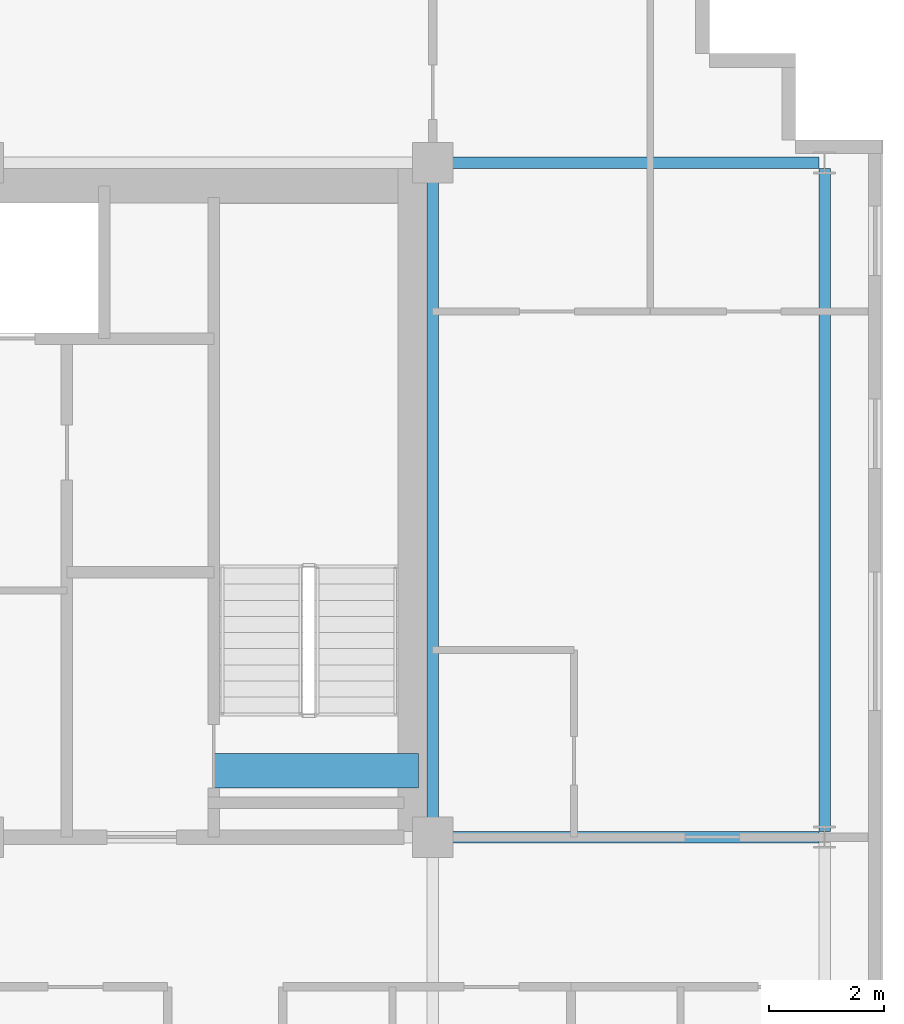
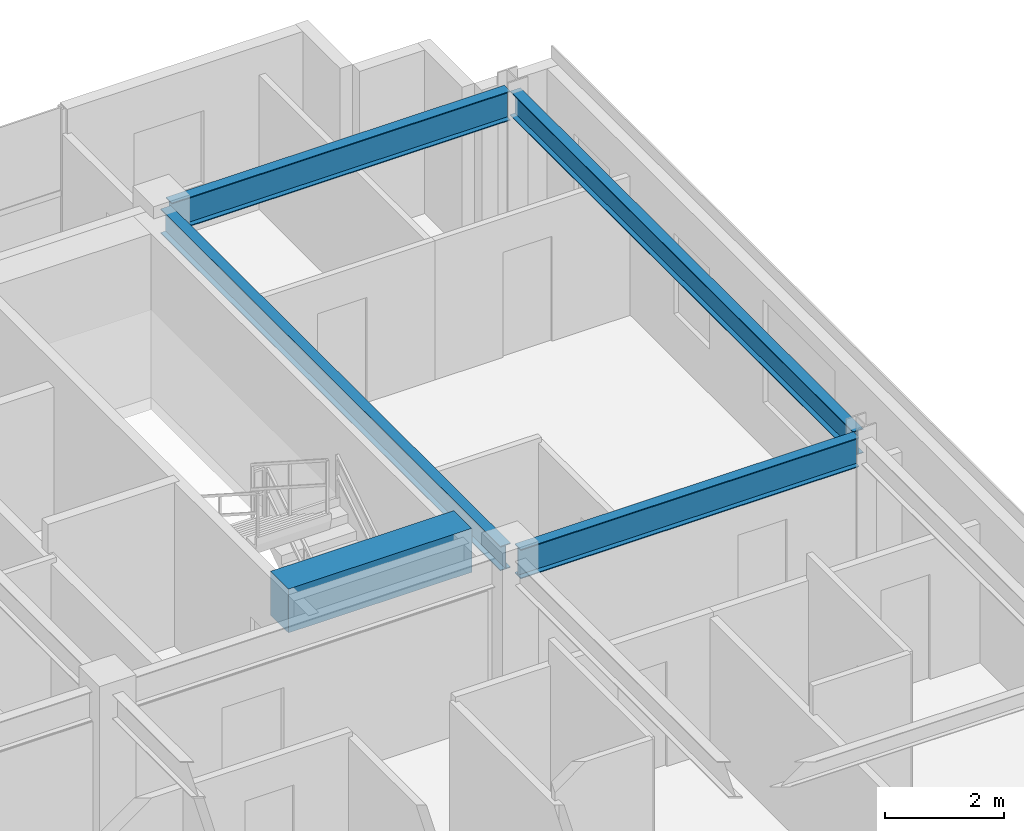
# One storey, part 11 of 21: 5 beams.
"""IFC4 building model written with IfcOpenShell, lengths in metres."""

from ifc_helpers import new_model, si_unit, direction, frame, origin, origin_2d, place, context, subcontext, project, spatial, rectangle, i_section, extrude, source, transform, mapped, material, material_profile, profile_set, type_object, element, save


model = new_model("IFC4")

# Units and contexts
model_context = context("Model", 3, precision=1e-05, world=origin(), true_north=direction((0.0, 1.0)))
body_context = subcontext(model_context, "Body", "Model", "MODEL_VIEW")
ifc_project = project(units=[si_unit("LENGTHUNIT", "METRE"), si_unit("AREAUNIT", "SQUARE_METRE"), si_unit("VOLUMEUNIT", "CUBIC_METRE"), si_unit("PLANEANGLEUNIT", "RADIAN"), si_unit("MASSUNIT", "GRAM", prefix="KILO")], contexts=[model_context])

# Site, building, storey
site_placement = place(None, origin())
site = spatial("IfcSite", under=ifc_project, at=site_placement, CompositionType="ELEMENT")
building_placement = place(site_placement, origin())
building = spatial("IfcBuilding", under=site, at=building_placement, Name="Trelvane Seafront Commons", CompositionType="ELEMENT")
storey_placement = place(building_placement, frame((0.0, 0.0, 135.699951171875)))
storey = spatial("IfcBuildingStorey", under=building, at=storey_placement, Name="L35", CompositionType="ELEMENT", Elevation=135.699951171875)

# Beams
ifc_material_1 = material(Name="Concrete C60/75", Category="concrete")
ifc_material_profile_1 = material_profile(ifc_material_1, rectangle(XDim=0.60009765625, YDim=0.89990234375, at=origin_2d()), Name="RC-600x900")
ifc_profile_set_1 = profile_set([ifc_material_profile_1], Name="Concrete C60/75")
beam_type_1 = type_object("IfcBeamType", Name="STR-LNT-RC600x900", PredefinedType="LINTEL", material=ifc_profile_set_1)
shared_shape_1 = source(origin(), body_context, "Body", "SweptSolid", [
    extrude(rectangle(XDim=0.60009765625, YDim=0.89990234375, at=origin_2d()), origin(), (0.0, 0.0, 1.0), 3.550048828125),
])
beam_1_placement = place(storey_placement, frame((55.0, 34.550048828125, 2.900146484375), z_axis=(1.0, 0.0, 0.0), x_axis=(0.0, 1.0, 0.0)))
element("IfcBeam", 1, at=beam_1_placement, inside=storey, type_object=beam_type_1, Name="L35 Core Coupling Lintel Beam CB-68", PredefinedType="LINTEL", context=body_context, shape_type="MappedRepresentation", body=[
    mapped(shared_shape_1, transform((0.0, 0.0, 0.0), x_axis=(1.0, 0.0, 0.0), y_axis=(0.0, 1.0, 0.0), z_axis=(0.0, 0.0, 1.0), scale=1.0)),
])
ifc_material_2 = material(Name="Steel SM355 (S355)", Category="steel")
ifc_material_profile_2 = material_profile(ifc_material_2, i_section(OverallWidth=0.199951171875, OverallDepth=0.5, WebThickness=0.010009765625, FlangeThickness=0.01611328125, at=origin_2d()), Name="H-500x200x10x16")
ifc_profile_set_2 = profile_set([ifc_material_profile_2], Name="Steel SM355 (S355)")
beam_type_2 = type_object("IfcBeamType", Name="STR-BM-H500", PredefinedType="BEAM", material=ifc_profile_set_2)
shared_shape_2 = source(origin(), body_context, "Body", "SweptSolid", [
    extrude(i_section(OverallWidth=0.199951171875, OverallDepth=0.5, WebThickness=0.010009765625, FlangeThickness=0.01611328125, at=origin_2d()), origin(), (0.0, 0.0, 1.0), 11.39990234375),
])
beam_2_placement = place(storey_placement, frame((58.800048828125, 33.550048828125, 3.10009765625), z_axis=(0.0, 1.0, 0.0), x_axis=(-1.0, 0.0, 0.0)))
element("IfcBeam", 2, at=beam_2_placement, inside=storey, type_object=beam_type_2, Name="L35 Primary Girder G-49", PredefinedType="BEAM", context=body_context, shape_type="MappedRepresentation", body=[
    mapped(shared_shape_2, transform((0.0, 0.0, 0.0), x_axis=(1.0, 0.0, 0.0), y_axis=(0.0, 1.0, 0.0), z_axis=(0.0, 0.0, 1.0), scale=1.0)),
])
ifc_material_profile_3 = material_profile(ifc_material_2, i_section(OverallWidth=0.199951171875, OverallDepth=0.60009765625, WebThickness=0.010986328125, FlangeThickness=0.01708984375, at=origin_2d()), Name="H-600x200x11x17")
ifc_profile_set_3 = profile_set([ifc_material_profile_3], Name="Steel SM355 (S355)")
beam_type_3 = type_object("IfcBeamType", Name="STR-SPD-H600", PredefinedType="SPANDREL", material=ifc_profile_set_3)
shared_shape_3 = source(origin(), body_context, "Body", "SweptSolid", [
    extrude(i_section(OverallWidth=0.199951171875, OverallDepth=0.60009765625, WebThickness=0.010986328125, FlangeThickness=0.01708984375, at=origin_2d()), origin(), (0.0, 0.0, 1.0), 6.554931640625),
])
for number, where, z_axis, x_axis, name in (
    (3, (58.949951171875, 33.39990234375, 3.050048828125), (1.0, 0.0, 0.0), (0.0, 1.0, 0.0), "L35 Primary Girder G-21"),
    (4, (58.949951171875, 45.10009765625, 3.050048828125), (1.0, 0.0, 0.0), (0.0, 1.0, 0.0), "L35 Primary Girder G-28"),
):
    element("IfcBeam", number, at=place(storey_placement, frame(where, z_axis=z_axis, x_axis=x_axis)), inside=storey, type_object=beam_type_3, Name=name, PredefinedType="SPANDREL", context=body_context, shape_type="MappedRepresentation", body=[
        mapped(shared_shape_3, transform((0.0, 0.0, 0.0), x_axis=(1.0, 0.0, 0.0), y_axis=(0.0, 1.0, 0.0), z_axis=(0.0, 0.0, 1.0), scale=1.0)),
    ])
shared_shape_4 = source(origin(), body_context, "Body", "SweptSolid", [
    extrude(i_section(OverallWidth=0.199951171875, OverallDepth=0.5, WebThickness=0.010009765625, FlangeThickness=0.01611328125, at=origin_2d()), origin(), (0.0, 0.0, 1.0), 11.509765625),
])
beam_3_placement = place(storey_placement, frame((65.60009765625, 33.4951171875, 3.10009765625), z_axis=(0.0, 1.0, 0.0), x_axis=(-1.0, 0.0, 0.0)))
element("IfcBeam", 5, at=beam_3_placement, inside=storey, type_object=beam_type_2, Name="L35 Primary Girder G-52", PredefinedType="BEAM", context=body_context, shape_type="MappedRepresentation", body=[
    mapped(shared_shape_4, transform((0.0, 0.0, 0.0), x_axis=(1.0, 0.0, 0.0), y_axis=(0.0, 1.0, 0.0), z_axis=(0.0, 0.0, 1.0), scale=1.0)),
])

save(model, "model.ifc")
